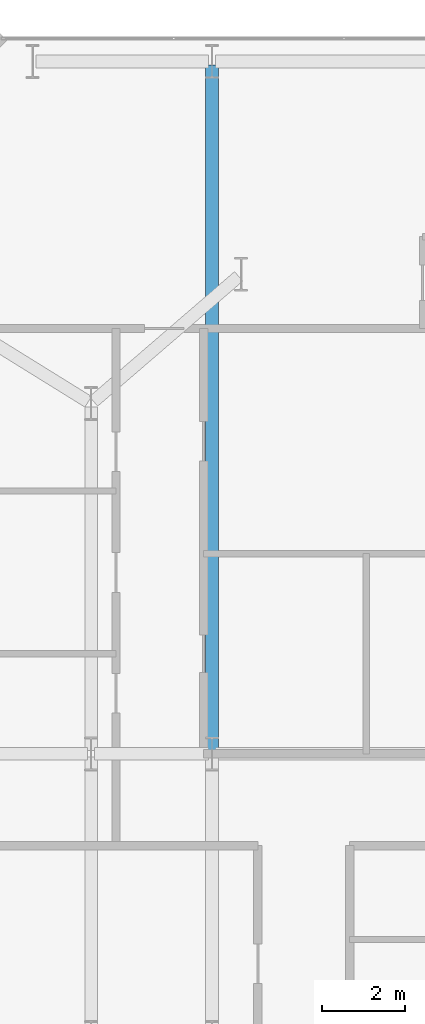
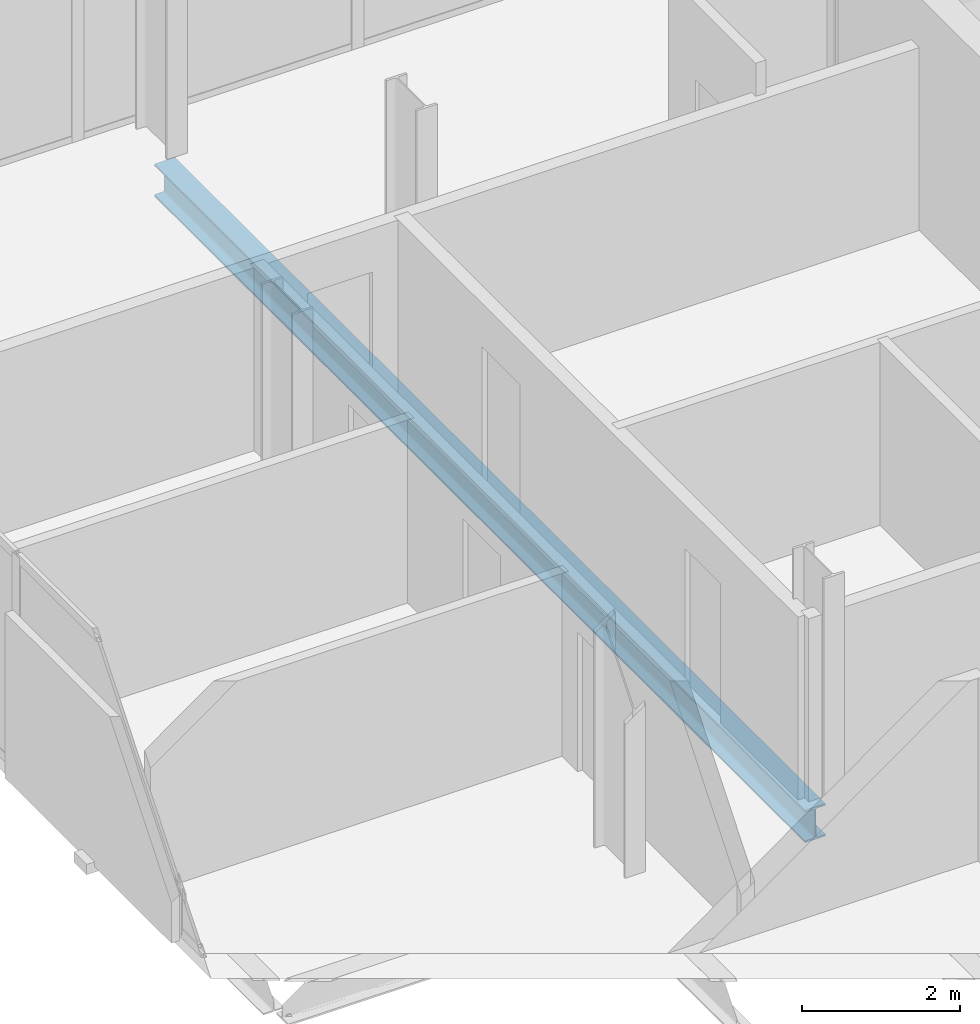
# One storey, part 19 of 33: 1 beam.
"""IFC4 building model written with IfcOpenShell, lengths in metres."""

from ifc_helpers import new_model, si_unit, direction, frame, origin, origin_2d, place, context, subcontext, project, spatial, i_section, extrude, material, material_profile, profile_set, type_object, element, save


model = new_model("IFC4")

# Units and contexts
model_context = context("Model", 3, precision=1e-05, world=origin(), true_north=direction((0.0, 1.0)))
body_context = subcontext(model_context, "Body", "Model", "MODEL_VIEW")
ifc_project = project(units=[si_unit("LENGTHUNIT", "METRE"), si_unit("AREAUNIT", "SQUARE_METRE"), si_unit("VOLUMEUNIT", "CUBIC_METRE"), si_unit("PLANEANGLEUNIT", "RADIAN"), si_unit("MASSUNIT", "GRAM", prefix="KILO")], contexts=[model_context])

# Site, building, storey
site_placement = place(None, origin())
site = spatial("IfcSite", under=ifc_project, at=site_placement, CompositionType="ELEMENT")
building_placement = place(site_placement, origin())
building = spatial("IfcBuilding", under=site, at=building_placement, Name="Catumbela Crestline Tower", CompositionType="ELEMENT")
storey_placement = place(building_placement, frame((0.0, 0.0, 58.2)))
storey = spatial("IfcBuildingStorey", under=building, at=storey_placement, Name="L14", CompositionType="ELEMENT", Elevation=58.2)

# Beam
ifc_material = material(Name="Structural steel S355J2", Category="steel")
ifc_material_profile = material_profile(ifc_material, i_section(OverallWidth=0.3, OverallDepth=0.5, WebThickness=0.0145, FlangeThickness=0.028, FilletRadius=0.027, at=origin_2d()), Name="HEB 500")
ifc_profile_set = profile_set([ifc_material_profile], Name="Structural steel S355J2")
beam_type = type_object("IfcBeamType", Name="BG-HEB500", PredefinedType="BEAM", material=ifc_profile_set)
beam_placement = place(storey_placement, frame((8.5, 30.88, -0.51), z_axis=(0.0, 1.0, 0.0), x_axis=(-1.0, 0.0, 0.0)))
element("IfcBeam", 1, at=beam_placement, inside=storey, type_object=beam_type, Name="L14 Beam BM-L14-SN30", PredefinedType="BEAM", context=body_context, shape_type="SweptSolid", body=[
    extrude(i_section(OverallWidth=0.3, OverallDepth=0.5, WebThickness=0.0145, FlangeThickness=0.028, FilletRadius=0.027, at=origin_2d()), origin(), (0.0, 0.0, 1.0), 16.44),
])

save(model, "model.ifc")
